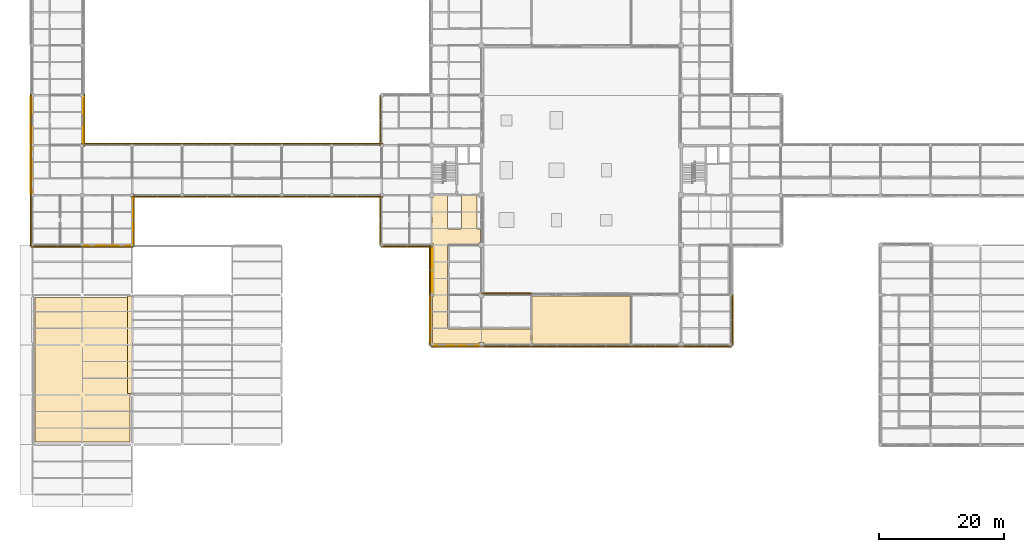
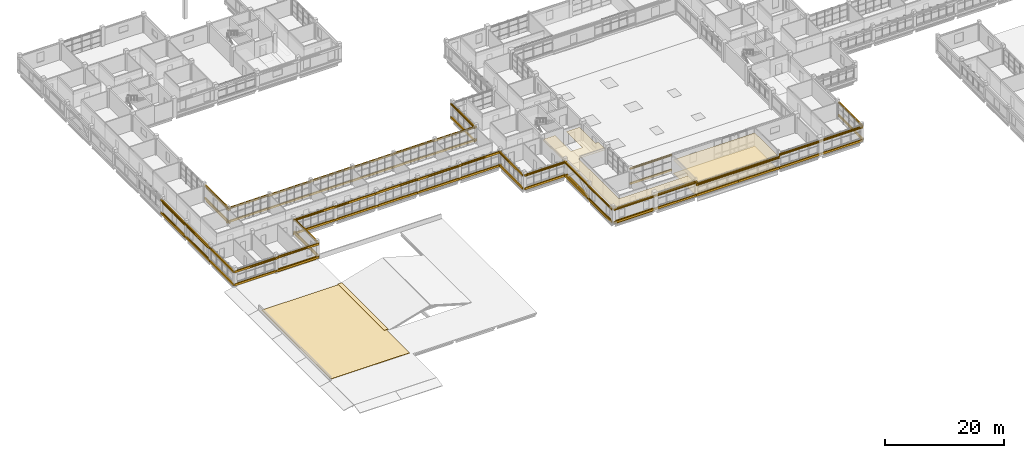
# One storey, part 96 of 107: 75 coverings, 34 shading devices, 2 elements without a shape of their own.
"""IFC4 building model written with IfcOpenShell, lengths in metres."""

from ifc_helpers import new_model, si_unit, derived_unit, direction, frame, origin, origin_2d, place, context, subcontext, project, spatial, polyline, rectangle, circle, outline, extrude, material, layer, layer_set, material_profile, profile_set, type_object, element, aggregate, save


model = new_model("IFC4")

# Units and contexts
model_context = context("Model", 3, precision=1e-05, world=origin(), true_north=direction((0.0, 1.0)))
body_context = subcontext(model_context, "Body", "Model", "MODEL_VIEW")
ifc_project = project(units=[si_unit("LENGTHUNIT", "METRE"), si_unit("AREAUNIT", "SQUARE_METRE"), si_unit("VOLUMEUNIT", "CUBIC_METRE"), si_unit("PLANEANGLEUNIT", "RADIAN"), si_unit("MASSUNIT", "GRAM", prefix="KILO"), derived_unit("THERMALTRANSMITTANCEUNIT", [(si_unit("MASSUNIT", "GRAM", prefix="KILO"), 1), (si_unit("TIMEUNIT", "SECOND"), -3), (si_unit("THERMODYNAMICTEMPERATUREUNIT", "KELVIN"), -1)])], contexts=[model_context])

# Site, building, storey
site_placement = place(None, origin())
site = spatial("IfcSite", under=ifc_project, at=site_placement, CompositionType="ELEMENT")
building_placement = place(site_placement, origin())
building = spatial("IfcBuilding", under=site, at=building_placement, Name="Veyamyaing Civic Hall", CompositionType="ELEMENT")
storey_placement = place(building_placement, frame((0.0, 0.0, 13.860107421875)))
storey = spatial("IfcBuildingStorey", under=building, at=storey_placement, Name="L03", CompositionType="ELEMENT", Elevation=13.860107421875)

# Coverings
ifc_material_1 = material(Name="Buff sandstone ashlar cladding", Category="masonry")
ifc_layer_1 = layer(ifc_material_1, 0.050048828125, Name="Buff sandstone ashlar cladding")
ifc_layer_set_1 = layer_set([ifc_layer_1], Name="Buff sandstone ashlar cladding")
covering_type_1 = type_object("IfcCoveringType", Name="CL-01", PredefinedType="CLADDING", material=ifc_layer_set_1)
for number, where, z_axis, x_axis, name in (
    (1, (-0.160888671875, 60.0, 0.044921875), (0.0, 0.0, 1.0), (0.0, 1.0, 0.0), "Facade spandrel cladding CL-01 L03 W 1.8"),
    (2, (8.160888671875, 60.0, 0.044921875), (0.0, 0.0, 1.0), (0.0, 1.0, 0.0), "Facade spandrel cladding CL-01 L03 E 1.8"),
):
    element("IfcCovering", number, at=place(storey_placement, frame(where, z_axis=z_axis, x_axis=x_axis)), inside=storey, type_object=covering_type_1, Name=name, PredefinedType="CLADDING", context=body_context, shape_type="SweptSolid", body=[
        extrude(rectangle(XDim=7.39990234375, YDim=0.050048828125, at=origin_2d()), origin(), (0.0, 0.0, 1.0), 0.75),
    ])
covering_1_placement = place(storey_placement, frame((67.9375, 23.826416015625, 0.044921875), z_axis=(0.0, 0.0, 1.0), x_axis=(1.0, 0.0, 0.0)))
element("IfcCovering", 3, at=covering_1_placement, inside=storey, type_object=covering_type_1, Name="Facade spandrel cladding CL-01 L03 S 9.4", PredefinedType="CLADDING", context=body_context, shape_type="SweptSolid", body=[
    extrude(rectangle(XDim=7.27490234375, YDim=0.050048828125, at=origin_2d()), origin(), (0.0, 0.0, 1.0), 0.75),
])
covering_2_placement = place(storey_placement, frame((63.826416015625, 28.0, 0.044921875), z_axis=(0.0, 0.0, 1.0), x_axis=(0.0, 1.0, 0.0)))
element("IfcCovering", 4, at=covering_2_placement, inside=storey, type_object=covering_type_1, Name="Facade spandrel cladding CL-01 L03 W 9.4", PredefinedType="CLADDING", context=body_context, shape_type="SweptSolid", body=[
    extrude(rectangle(XDim=7.39990234375, YDim=0.050048828125, at=origin_2d()), origin(), (0.0, 0.0, 1.0), 0.75),
])
ifc_material_2 = material(Name="Turquoise glazed ceramic tile cladding", Category="masonry")
ifc_layer_2 = layer(ifc_material_2, 0.034912109375, Name="Turquoise glazed ceramic tile cladding")
ifc_layer_set_2 = layer_set([ifc_layer_2], Name="Turquoise glazed ceramic tile cladding")
covering_type_2 = type_object("IfcCoveringType", Name="CL-02", PredefinedType="CLADDING", material=ifc_layer_set_2)
for number, where, z_axis, x_axis, name in (
    (5, (-0.153564453125, 52.0, 0.044921875), (0.0, 0.0, 1.0), (0.0, 1.0, 0.0), "Facade spandrel cladding CL-02 L03 W 1.7"),
    (6, (12.0, 39.846435546875, 0.044921875), (0.0, 0.0, 1.0), (1.0, 0.0, 0.0), "Facade spandrel cladding CL-02 L03 S 2.6"),
    (7, (16.153564453125, 44.0, 0.044921875), (0.0, 0.0, 1.0), (0.0, 1.0, 0.0), "Facade spandrel cladding CL-02 L03 E 2.6"),
    (8, (64.134033203125, 36.0, 0.044921875), (0.0, 0.0, 1.0), (0.0, 1.0, 0.0), "Facade spandrel cladding CL-02 L03 W 9.5"),
):
    element("IfcCovering", number, at=place(storey_placement, frame(where, z_axis=z_axis, x_axis=x_axis)), inside=storey, type_object=covering_type_2, Name=name, PredefinedType="CLADDING", context=body_context, shape_type="SweptSolid", body=[
        extrude(rectangle(XDim=7.39990234375, YDim=0.034912109375, at=origin_2d()), origin(), (0.0, 0.0, 1.0), 0.75),
    ])
ifc_material_3 = material(Name="White powder-coated aluminium 6063-T6", Category="aluminium")
ifc_layer_3 = layer(ifc_material_3, 0.2099609375, Name="White powder-coated aluminium 6063-T6")
ifc_layer_set_3 = layer_set([ifc_layer_3], Name="White powder-coated aluminium 6063-T6")
covering_type_3 = type_object("IfcCoveringType", Name="CL-03", PredefinedType="CLADDING", material=ifc_layer_set_3)
for number, where, z_axis, x_axis, name in (
    (9, (4.0, 39.760009765625, 2.919921875), (0.0, 0.0, 1.0), (1.0, 0.0, 0.0), "Continuous white head fascia ribbon CL-03 L03 S 1.6"),
    (10, (4.0, 39.760009765625, 0.280029296875), (0.0, 0.0, 1.0), (1.0, 0.0, 0.0), "Continuous white sill fascia ribbon CL-03 L03 S 1.6"),
    (11, (-0.239990234375, 44.0, 2.919921875), (0.0, 0.0, 1.0), (0.0, 1.0, 0.0), "Continuous white head fascia ribbon CL-03 L03 W 1.6"),
    (12, (-0.239990234375, 44.0, 0.280029296875), (0.0, 0.0, 1.0), (0.0, 1.0, 0.0), "Continuous white sill fascia ribbon CL-03 L03 W 1.6"),
    (13, (-0.239990234375, 52.0, 2.98388671875), (0.0, 0.0, 1.0), (0.0, 1.0, 0.0), "Continuous white head fascia ribbon CL-03 L03 W 1.7"),
    (14, (-0.239990234375, 52.0, 0.280029296875), (0.0, 0.0, 1.0), (0.0, 1.0, 0.0), "Continuous white sill fascia ribbon CL-03 L03 W 1.7"),
    (15, (-0.239990234375, 60.0, 2.923828125), (0.0, 0.0, 1.0), (0.0, 1.0, 0.0), "Continuous white head fascia ribbon CL-03 L03 W 1.8"),
    (16, (-0.239990234375, 60.0, 0.280029296875), (0.0, 0.0, 1.0), (0.0, 1.0, 0.0), "Continuous white sill fascia ribbon CL-03 L03 W 1.8"),
    (17, (8.239990234375, 60.0, 2.987060546875), (0.0, 0.0, 1.0), (0.0, 1.0, 0.0), "Continuous white head fascia ribbon CL-03 L03 E 1.8"),
    (18, (8.239990234375, 60.0, 0.280029296875), (0.0, 0.0, 1.0), (0.0, 1.0, 0.0), "Continuous white sill fascia ribbon CL-03 L03 E 1.8"),
    (19, (12.0, 39.760009765625, 2.98388671875), (0.0, 0.0, 1.0), (1.0, 0.0, 0.0), "Continuous white head fascia ribbon CL-03 L03 S 2.6"),
    (20, (12.0, 39.760009765625, 0.280029296875), (0.0, 0.0, 1.0), (1.0, 0.0, 0.0), "Continuous white sill fascia ribbon CL-03 L03 S 2.6"),
    (21, (16.239990234375, 44.0, 2.923828125), (0.0, 0.0, 1.0), (0.0, 1.0, 0.0), "Continuous white head fascia ribbon CL-03 L03 E 2.6"),
    (22, (16.239990234375, 44.0, 0.280029296875), (0.0, 0.0, 1.0), (0.0, 1.0, 0.0), "Continuous white sill fascia ribbon CL-03 L03 E 2.6"),
    (23, (12.0, 56.239990234375, 2.987060546875), (0.0, 0.0, 1.0), (1.0, 0.0, 0.0), "Continuous white head fascia ribbon CL-03 L03 N 2.7"),
    (24, (12.0, 56.239990234375, 0.280029296875), (0.0, 0.0, 1.0), (1.0, 0.0, 0.0), "Continuous white sill fascia ribbon CL-03 L03 N 2.7"),
    (25, (20.0, 47.760009765625, 2.987060546875), (0.0, 0.0, 1.0), (1.0, 0.0, 0.0), "Continuous white head fascia ribbon CL-03 L03 S 3.7"),
    (26, (20.0, 47.760009765625, 0.280029296875), (0.0, 0.0, 1.0), (1.0, 0.0, 0.0), "Continuous white sill fascia ribbon CL-03 L03 S 3.7"),
    (27, (20.0, 56.239990234375, 2.919921875), (0.0, 0.0, 1.0), (1.0, 0.0, 0.0), "Continuous white head fascia ribbon CL-03 L03 N 3.7"),
    (28, (20.0, 56.239990234375, 0.280029296875), (0.0, 0.0, 1.0), (1.0, 0.0, 0.0), "Continuous white sill fascia ribbon CL-03 L03 N 3.7"),
    (29, (28.0, 47.760009765625, 2.919921875), (0.0, 0.0, 1.0), (1.0, 0.0, 0.0), "Continuous white head fascia ribbon CL-03 L03 S 4.7"),
    (30, (28.0, 47.760009765625, 0.280029296875), (0.0, 0.0, 1.0), (1.0, 0.0, 0.0), "Continuous white sill fascia ribbon CL-03 L03 S 4.7"),
    (31, (28.0, 56.239990234375, 2.98388671875), (0.0, 0.0, 1.0), (1.0, 0.0, 0.0), "Continuous white head fascia ribbon CL-03 L03 N 4.7"),
    (32, (28.0, 56.239990234375, 0.280029296875), (0.0, 0.0, 1.0), (1.0, 0.0, 0.0), "Continuous white sill fascia ribbon CL-03 L03 N 4.7"),
    (33, (36.0, 47.760009765625, 2.98388671875), (0.0, 0.0, 1.0), (1.0, 0.0, 0.0), "Continuous white head fascia ribbon CL-03 L03 S 5.7"),
    (34, (36.0, 47.760009765625, 0.280029296875), (0.0, 0.0, 1.0), (1.0, 0.0, 0.0), "Continuous white sill fascia ribbon CL-03 L03 S 5.7"),
    (35, (36.0, 56.239990234375, 2.923828125), (0.0, 0.0, 1.0), (1.0, 0.0, 0.0), "Continuous white head fascia ribbon CL-03 L03 N 5.7"),
    (36, (36.0, 56.239990234375, 0.280029296875), (0.0, 0.0, 1.0), (1.0, 0.0, 0.0), "Continuous white sill fascia ribbon CL-03 L03 N 5.7"),
    (37, (44.0, 47.760009765625, 2.923828125), (0.0, 0.0, 1.0), (1.0, 0.0, 0.0), "Continuous white head fascia ribbon CL-03 L03 S 6.7"),
    (38, (44.0, 47.760009765625, 0.280029296875), (0.0, 0.0, 1.0), (1.0, 0.0, 0.0), "Continuous white sill fascia ribbon CL-03 L03 S 6.7"),
    (39, (44.0, 56.239990234375, 2.987060546875), (0.0, 0.0, 1.0), (1.0, 0.0, 0.0), "Continuous white head fascia ribbon CL-03 L03 N 6.7"),
    (40, (44.0, 56.239990234375, 0.280029296875), (0.0, 0.0, 1.0), (1.0, 0.0, 0.0), "Continuous white sill fascia ribbon CL-03 L03 N 6.7"),
    (41, (52.0, 47.760009765625, 2.987060546875), (0.0, 0.0, 1.0), (1.0, 0.0, 0.0), "Continuous white head fascia ribbon CL-03 L03 S 7.7"),
    (42, (52.0, 47.760009765625, 0.280029296875), (0.0, 0.0, 1.0), (1.0, 0.0, 0.0), "Continuous white sill fascia ribbon CL-03 L03 S 7.7"),
    (43, (52.0, 56.239990234375, 2.919921875), (0.0, 0.0, 1.0), (1.0, 0.0, 0.0), "Continuous white head fascia ribbon CL-03 L03 N 7.7"),
    (44, (52.0, 56.239990234375, 0.280029296875), (0.0, 0.0, 1.0), (1.0, 0.0, 0.0), "Continuous white sill fascia ribbon CL-03 L03 N 7.7"),
):
    element("IfcCovering", number, at=place(storey_placement, frame(where, z_axis=z_axis, x_axis=x_axis)), inside=storey, type_object=covering_type_3, Name=name, PredefinedType="CLADDING", context=body_context, shape_type="SweptSolid", body=[
        extrude(rectangle(XDim=8.360107421875, YDim=0.2099609375, at=origin_2d()), origin(), (0.0, 0.0, 1.0), 0.39990234375),
    ])
for number, where, z_axis, x_axis, name in (
    (45, (60.0, 39.760009765625, 2.987060546875), (0.0, 0.0, 1.0), (1.0, 0.0, 0.0), "Continuous white head fascia ribbon CL-03 L03 S 8.6"),
    (46, (60.0, 39.760009765625, 0.280029296875), (0.0, 0.0, 1.0), (1.0, 0.0, 0.0), "Continuous white sill fascia ribbon CL-03 L03 S 8.6"),
    (47, (55.760009765625, 44.0, 2.987060546875), (0.0, 0.0, 1.0), (0.0, 1.0, 0.0), "Continuous white head fascia ribbon CL-03 L03 W 8.6"),
    (48, (55.760009765625, 44.0, 0.280029296875), (0.0, 0.0, 1.0), (0.0, 1.0, 0.0), "Continuous white sill fascia ribbon CL-03 L03 W 8.6"),
    (49, (55.760009765625, 60.0, 2.98388671875), (0.0, 0.0, 1.0), (0.0, 1.0, 0.0), "Continuous white head fascia ribbon CL-03 L03 W 8.8"),
    (50, (55.760009765625, 60.0, 0.280029296875), (0.0, 0.0, 1.0), (0.0, 1.0, 0.0), "Continuous white sill fascia ribbon CL-03 L03 W 8.8"),
    (51, (68.0, 23.760009765625, 2.923828125), (0.0, 0.0, 1.0), (1.0, 0.0, 0.0), "Continuous white head fascia ribbon CL-03 L03 S 9.4"),
    (52, (68.0, 23.760009765625, 0.280029296875), (0.0, 0.0, 1.0), (1.0, 0.0, 0.0), "Continuous white sill fascia ribbon CL-03 L03 S 9.4"),
    (53, (63.760009765625, 28.0, 2.923828125), (0.0, 0.0, 1.0), (0.0, 1.0, 0.0), "Continuous white head fascia ribbon CL-03 L03 W 9.4"),
    (54, (63.760009765625, 28.0, 0.280029296875), (0.0, 0.0, 1.0), (0.0, 1.0, 0.0), "Continuous white sill fascia ribbon CL-03 L03 W 9.4"),
    (55, (63.760009765625, 36.0, 2.987060546875), (0.0, 0.0, 1.0), (0.0, 1.0, 0.0), "Continuous white head fascia ribbon CL-03 L03 W 9.5"),
    (56, (63.760009765625, 36.0, 0.280029296875), (0.0, 0.0, 1.0), (0.0, 1.0, 0.0), "Continuous white sill fascia ribbon CL-03 L03 W 9.5"),
    (57, (76.0, 23.760009765625, 2.98193359375), (0.0, 0.0, 1.0), (1.0, 0.0, 0.0), "Continuous white head fascia ribbon CL-03 L03 S 10.4"),
    (58, (76.0, 23.760009765625, 0.280029296875), (0.0, 0.0, 1.0), (1.0, 0.0, 0.0), "Continuous white sill fascia ribbon CL-03 L03 S 10.4"),
    (59, (76.0, 32.239990234375, 3.344970703125), (0.0, 0.0, 1.0), (1.0, 0.0, 0.0), "Continuous white head fascia ribbon CL-03 L03 N 10.4"),
    (60, (76.0, 32.239990234375, 0.280029296875), (0.0, 0.0, 1.0), (1.0, 0.0, 0.0), "Continuous white sill fascia ribbon CL-03 L03 N 10.4"),
    (61, (84.0, 23.760009765625, 2.408935546875), (0.0, 0.0, 1.0), (1.0, 0.0, 0.0), "Continuous white head fascia ribbon CL-03 L03 S 11.4"),
    (62, (84.0, 23.760009765625, 0.280029296875), (0.0, 0.0, 1.0), (1.0, 0.0, 0.0), "Continuous white sill fascia ribbon CL-03 L03 S 11.4"),
    (63, (92.0, 23.760009765625, 2.408935546875), (0.0, 0.0, 1.0), (1.0, 0.0, 0.0), "Continuous white head fascia ribbon CL-03 L03 S 12.4"),
    (64, (92.0, 23.760009765625, 0.280029296875), (0.0, 0.0, 1.0), (1.0, 0.0, 0.0), "Continuous white sill fascia ribbon CL-03 L03 S 12.4"),
    (65, (100.0, 23.760009765625, 2.9189453125), (0.0, 0.0, 1.0), (1.0, 0.0, 0.0), "Continuous white head fascia ribbon CL-03 L03 S 13.4"),
    (66, (100.0, 23.760009765625, 0.280029296875), (0.0, 0.0, 1.0), (1.0, 0.0, 0.0), "Continuous white sill fascia ribbon CL-03 L03 S 13.4"),
    (67, (108.0, 23.760009765625, 2.987060546875), (0.0, 0.0, 1.0), (1.0, 0.0, 0.0), "Continuous white head fascia ribbon CL-03 L03 S 14.4"),
    (68, (108.0, 23.760009765625, 0.280029296875), (0.0, 0.0, 1.0), (1.0, 0.0, 0.0), "Continuous white sill fascia ribbon CL-03 L03 S 14.4"),
    (69, (112.239990234375, 28.0, 2.919921875), (0.0, 0.0, 1.0), (0.0, 1.0, 0.0), "Continuous white head fascia ribbon CL-03 L03 E 14.4"),
    (70, (112.239990234375, 28.0, 0.280029296875), (0.0, 0.0, 1.0), (0.0, 1.0, 0.0), "Continuous white sill fascia ribbon CL-03 L03 E 14.4"),
):
    element("IfcCovering", number, at=place(storey_placement, frame(where, z_axis=z_axis, x_axis=x_axis)), inside=storey, type_object=covering_type_3, Name=name, PredefinedType="CLADDING", context=body_context, shape_type="SweptSolid", body=[
        extrude(rectangle(XDim=8.1201171875, YDim=0.2099609375, at=origin_2d()), origin(), (0.0, 0.0, 1.0), 0.39990234375),
    ])
ifc_material_4 = material(Name="Perforated acoustic gypsum ceiling board")
ifc_layer_4 = layer(ifc_material_4, 0.02490234375, Name="Perforated acoustic gypsum ceiling board")
ifc_layer_set_4 = layer_set([ifc_layer_4], Name="Perforated acoustic gypsum ceiling board")
covering_type_4 = type_object("IfcCoveringType", Name="CLG-01", PredefinedType="CEILING", material=ifc_layer_set_4)
covering_3_placement = place(storey_placement, frame((0.0, 0.0, 2.699951171875)))
element("IfcCovering", 71, at=covering_3_placement, inside=storey, type_object=covering_type_4, Name="Acoustic suspended ceiling CLG-01 L03-H01", PredefinedType="CEILING", context=body_context, shape_type="SweptSolid", body=[
    extrude(outline(polyline([(80.16943359375, 24.1630859375), (80.094970703125, 24.1630859375), (80.094970703125, 31.844970703125), (95.905029296875, 31.844970703125), (95.905029296875, 24.1630859375), (95.83056640625, 24.1630859375), (95.83056640625, 24.155029296875), (80.16943359375, 24.155029296875), (80.16943359375, 24.1630859375)])), origin(), (0.0, 0.0, 1.0), 0.02490234375),
])
covering_4_placement = place(storey_placement, frame((0.0, 0.0, 2.699951171875)))
element("IfcCovering", 72, at=covering_4_placement, inside=storey, type_object=covering_type_4, Name="Acoustic suspended ceiling CLG-01 L03-C03", PredefinedType="CEILING", context=body_context, shape_type="SweptSolid", body=[
    extrude(outline(polyline([(66.574951171875, 42.652587890625), (66.581298828125, 42.62158203125), (66.597412109375, 42.597412109375), (66.62158203125, 42.581298828125), (66.652587890625, 42.574951171875), (68.6982421875, 42.574951171875), (68.7216796875, 42.57861328125), (68.741455078125, 42.587890625), (68.7578125, 42.6025390625), (68.768798828125, 42.620849609375), (68.77490234375, 42.652587890625), (68.77490234375, 47.925048828125), (71.27490234375, 47.925048828125), (71.275390625, 42.643310546875), (71.28076171875, 42.6220703125), (71.297607421875, 42.5966796875), (71.314697265625, 42.583984375), (71.3349609375, 42.576904296875), (71.844970703125, 42.574951171875), (71.844970703125, 40.385009765625), (71.614990234375, 40.385009765625), (71.614990234375, 40.074951171875), (66.65185546875, 40.074951171875), (66.62890625, 40.071533203125), (66.602783203125, 40.0576171875), (66.583984375, 40.03466796875), (66.576904296875, 40.01513671875), (66.574951171875, 26.65185546875), (66.57861328125, 26.62841796875), (66.588134765625, 26.60791015625), (66.5966796875, 26.597412109375), (66.615234375, 26.583740234375), (66.627685546875, 26.57861328125), (66.65185546875, 26.574951171875), (79.925048828125, 26.574951171875), (79.925048828125, 24.1630859375), (79.83056640625, 24.1630859375), (79.83056640625, 24.155029296875), (72.385009765625, 24.155029296875), (72.385009765625, 24.385009765625), (71.614990234375, 24.385009765625), (71.614990234375, 24.155029296875), (64.260009765625, 24.155029296875), (64.260009765625, 24.260009765625), (64.155029296875, 24.260009765625), (64.155029296875, 31.739990234375), (64.260009765625, 31.739990234375), (64.260009765625, 32.260009765625), (64.155029296875, 32.260009765625), (64.155029296875, 39.739990234375), (64.260009765625, 39.739990234375), (64.260009765625, 40.260009765625), (64.074951171875, 40.260009765625), (64.074951171875, 47.6650390625), (64.3349609375, 47.6650390625), (64.3349609375, 47.925048828125), (66.574951171875, 47.925048828125), (66.574951171875, 42.652587890625)])), origin(), (0.0, 0.0, 1.0), 0.02490234375),
])
ifc_material_5 = material(Name="Polished Mandalay marble and terrazzo flooring", Category="masonry")
ifc_layer_5 = layer(ifc_material_5, 0.030029296875, Name="Polished Mandalay marble and terrazzo flooring")
ifc_layer_set_5 = layer_set([ifc_layer_5], Name="Polished Mandalay marble and terrazzo flooring")
covering_type_5 = type_object("IfcCoveringType", Name="FLR-01", PredefinedType="FLOORING", material=ifc_layer_set_5)
covering_5_placement = place(storey_placement, origin())
element("IfcCovering", 73, at=covering_5_placement, inside=storey, type_object=covering_type_5, Name="Stone and terrazzo flooring FLR-01 L03-H01", PredefinedType="FLOORING", context=body_context, shape_type="SweptSolid", body=[
    extrude(outline(polyline([(95.8798828125, 31.820068359375), (95.8798828125, 24.18798828125), (95.805419921875, 24.18798828125), (95.805419921875, 24.179931640625), (80.194580078125, 24.179931640625), (80.194580078125, 24.18798828125), (80.1201171875, 24.18798828125), (80.1201171875, 31.820068359375), (95.8798828125, 31.820068359375)])), origin(), (0.0, 0.0, 1.0), 0.02978515625),
])

# Shading devices
ifc_material_6 = material(Name="Anodised aluminium 6063-T6", Category="aluminium")
ifc_material_profile_1 = material_profile(ifc_material_6, rectangle(XDim=0.050048828125, YDim=0.25, at=origin_2d()), Name="LOUVRE-BLADE-50X250")
ifc_profile_set_1 = profile_set([ifc_material_profile_1], Name="Anodised aluminium 6063-T6")
shading_device_type_1 = type_object("IfcShadingDeviceType", Name="LV-01", PredefinedType="JALOUSIE", material=ifc_profile_set_1)
for number, where, z_axis, x_axis, name in (
    (74, (-0.219970703125, 48.260009765625, 2.81396484375), (0.0, 1.0, 0.0), (-1.0, 0.0, 0.0), "Monsoon solar louvre LV-01 L03 W 1.7"),
    (75, (-0.219970703125, 56.260009765625, 2.75390625), (0.0, 1.0, 0.0), (-1.0, 0.0, 0.0), "Monsoon solar louvre LV-01 L03 W 1.8"),
    (76, (8.219970703125, 56.260009765625, 2.81689453125), (0.0, 1.0, 0.0), (-1.0, 0.0, 0.0), "Monsoon solar louvre LV-01 L03 E 1.8"),
):
    element("IfcShadingDevice", number, at=place(storey_placement, frame(where, z_axis=z_axis, x_axis=x_axis)), inside=storey, type_object=shading_device_type_1, Name=name, PredefinedType="JALOUSIE", context=body_context, shape_type="SweptSolid", body=[
        extrude(rectangle(XDim=0.050048828125, YDim=0.25, at=origin_2d()), origin(), (0.0, 0.0, 1.0), 7.47998046875),
    ])

# Roof, covering
ifc_material_7 = material(Name="Concrete C40/50", Category="concrete")
roof_type_1 = type_object("IfcRoofType", Name="RF-PAV", PredefinedType="PAVILION_ROOF", material=ifc_material_7)
roof_1_placement = place(storey_placement, origin())
roof_1 = element("IfcRoof", 77, at=roof_1_placement, inside=storey, type_object=roof_type_1, Name="Public Hall Skylight Lantern Roof", PredefinedType="PAVILION_ROOF")
ifc_material_8 = material(Name="Cool-roof insulated membrane waterproofing")
ifc_layer_6 = layer(ifc_material_8, 0.080078125, Name="Cool-roof insulated membrane waterproofing")
ifc_layer_set_6 = layer_set([ifc_layer_6], Name="Cool-roof insulated membrane waterproofing")
covering_type_6 = type_object("IfcCoveringType", Name="RM-01", PredefinedType="ROOFING", material=ifc_layer_set_6)
covering_6_placement = place(storey_placement, origin())
covering_6 = element("IfcCovering", 78, at=covering_6_placement, type_object=covering_type_6, Name="Insulated cool-roof membrane RM-01 L03", PredefinedType="ROOFING", context=body_context, shape_type="SweptSolid", body=[
    extrude(outline(polyline([(15.199951171875, 16.199951171875), (16.0, 16.199951171875), (16.0, 31.800048828125), (15.199951171875, 31.800048828125), (15.199951171875, 16.199951171875)])), origin(), (0.0, 0.0, 1.0), 0.079833984375),
])
aggregate(roof_1, [covering_6])

roof_type_2 = type_object("IfcRoofType", Name="RF-FLAT", PredefinedType="FLAT_ROOF", material=ifc_material_7)
roof_2_placement = place(storey_placement, origin())
roof_2 = element("IfcRoof", 79, at=roof_2_placement, inside=storey, type_object=roof_type_2, Name="Southwest Pavilion Flat Roof Assembly", PredefinedType="FLAT_ROOF")
covering_7_placement = place(storey_placement, origin())
covering_7 = element("IfcCovering", 80, at=covering_7_placement, type_object=covering_type_6, Name="Insulated cool-roof membrane RM-01 L03", PredefinedType="ROOFING", context=body_context, shape_type="SweptSolid", body=[
    extrude(outline(polyline([(0.39990234375, 8.39990234375), (15.60009765625, 8.39990234375), (15.60009765625, 31.60009765625), (0.39990234375, 31.60009765625), (0.39990234375, 8.39990234375)])), origin(), (0.0, 0.0, 1.0), 0.079833984375),
])
aggregate(roof_2, [covering_7])

# Shading devices
ifc_material_profile_2 = material_profile(ifc_material_3, circle(Radius=0.110107421875, at=origin_2d()), Name="SHADE-TUBE-220")
ifc_profile_set_2 = profile_set([ifc_material_profile_2], Name="White powder-coated aluminium 6063-T6")
shading_device_type_2 = type_object("IfcShadingDeviceType", Name="SH-01", PredefinedType="USERDEFINED", material=ifc_profile_set_2)
for number, where, z_axis, x_axis, name in (
    (81, (56.260009765625, 39.760009765625, 3.14697265625), (1.0, 0.0, 0.0), (0.0, 1.0, 0.0), "Horizontal white sunshade ribbon SH-01 L03 S 8.6"),
    (82, (55.760009765625, 40.260009765625, 3.14697265625), (0.0, 1.0, 0.0), (-1.0, 0.0, 0.0), "Horizontal white sunshade ribbon SH-01 L03 W 8.6"),
    (83, (55.760009765625, 56.260009765625, 3.143798828125), (0.0, 1.0, 0.0), (-1.0, 0.0, 0.0), "Horizontal white sunshade ribbon SH-01 L03 W 8.8"),
):
    element("IfcShadingDevice", number, at=place(storey_placement, frame(where, z_axis=z_axis, x_axis=x_axis)), inside=storey, type_object=shading_device_type_2, Name=name, ObjectType="SUNSHADE", PredefinedType="USERDEFINED", context=body_context, shape_type="SweptSolid", body=[
        extrude(circle(Radius=0.110107421875, at=origin_2d()), origin(), (0.0, 0.0, 1.0), 7.47998046875),
    ])
shading_device_1_placement = place(storey_placement, frame((64.260009765625, 23.760009765625, 3.083984375), z_axis=(1.0, 0.0, 0.0), x_axis=(0.0, 1.0, 0.0)))
element("IfcShadingDevice", 84, at=shading_device_1_placement, inside=storey, type_object=shading_device_type_2, Name="Horizontal white sunshade ribbon SH-01 L03 S 9.4", ObjectType="SUNSHADE", PredefinedType="USERDEFINED", context=body_context, shape_type="SweptSolid", body=[
    extrude(circle(Radius=0.110107421875, at=origin_2d()), origin(), (0.0, 0.0, 1.0), 7.35498046875),
])
for number, where, z_axis, x_axis, name in (
    (85, (63.760009765625, 24.260009765625, 3.083984375), (0.0, 1.0, 0.0), (-1.0, 0.0, 0.0), "Horizontal white sunshade ribbon SH-01 L03 W 9.4"),
    (86, (63.760009765625, 32.260009765625, 3.14697265625), (0.0, 1.0, 0.0), (-1.0, 0.0, 0.0), "Horizontal white sunshade ribbon SH-01 L03 W 9.5"),
):
    element("IfcShadingDevice", number, at=place(storey_placement, frame(where, z_axis=z_axis, x_axis=x_axis)), inside=storey, type_object=shading_device_type_2, Name=name, ObjectType="SUNSHADE", PredefinedType="USERDEFINED", context=body_context, shape_type="SweptSolid", body=[
        extrude(circle(Radius=0.110107421875, at=origin_2d()), origin(), (0.0, 0.0, 1.0), 7.47998046875),
    ])
shading_device_2_placement = place(storey_placement, frame((72.385009765625, 23.760009765625, 3.141845703125), z_axis=(1.0, 0.0, 0.0), x_axis=(0.0, 1.0, 0.0)))
element("IfcShadingDevice", 87, at=shading_device_2_placement, inside=storey, type_object=shading_device_type_2, Name="Horizontal white sunshade ribbon SH-01 L03 S 10.4", ObjectType="SUNSHADE", PredefinedType="USERDEFINED", context=body_context, shape_type="SweptSolid", body=[
    extrude(circle(Radius=0.110107421875, at=origin_2d()), origin(), (0.0, 0.0, 1.0), 7.445556640625),
])
shading_device_3_placement = place(storey_placement, frame((72.385009765625, 32.239990234375, 3.5048828125), z_axis=(1.0, 0.0, 0.0), x_axis=(0.0, 1.0, 0.0)))
element("IfcShadingDevice", 88, at=shading_device_3_placement, inside=storey, type_object=shading_device_type_2, Name="Horizontal white sunshade ribbon SH-01 L03 N 10.4", ObjectType="SUNSHADE", PredefinedType="USERDEFINED", context=body_context, shape_type="SweptSolid", body=[
    extrude(circle(Radius=0.110107421875, at=origin_2d()), origin(), (0.0, 0.0, 1.0), 7.614990234375),
])
for number, where, z_axis, x_axis, name in (
    (89, (80.16943359375, 23.760009765625, 2.56884765625), (1.0, 0.0, 0.0), (0.0, 1.0, 0.0), "Horizontal white sunshade ribbon SH-01 L03 S 11.4"),
    (90, (88.0, 23.760009765625, 2.56884765625), (1.0, 0.0, 0.0), (0.0, 1.0, 0.0), "Horizontal white sunshade ribbon SH-01 L03 S 12.4"),
):
    element("IfcShadingDevice", number, at=place(storey_placement, frame(where, z_axis=z_axis, x_axis=x_axis)), inside=storey, type_object=shading_device_type_2, Name=name, ObjectType="SUNSHADE", PredefinedType="USERDEFINED", context=body_context, shape_type="SweptSolid", body=[
        extrude(circle(Radius=0.110107421875, at=origin_2d()), origin(), (0.0, 0.0, 1.0), 7.83056640625),
    ])
shading_device_4_placement = place(storey_placement, frame((96.16943359375, 23.760009765625, 3.078857421875), z_axis=(1.0, 0.0, 0.0), x_axis=(0.0, 1.0, 0.0)))
element("IfcShadingDevice", 91, at=shading_device_4_placement, inside=storey, type_object=shading_device_type_2, Name="Horizontal white sunshade ribbon SH-01 L03 S 13.4", ObjectType="SUNSHADE", PredefinedType="USERDEFINED", context=body_context, shape_type="SweptSolid", body=[
    extrude(circle(Radius=0.110107421875, at=origin_2d()), origin(), (0.0, 0.0, 1.0), 7.445556640625),
])
shading_device_5_placement = place(storey_placement, frame((104.385009765625, 23.760009765625, 3.14697265625), z_axis=(1.0, 0.0, 0.0), x_axis=(0.0, 1.0, 0.0)))
element("IfcShadingDevice", 92, at=shading_device_5_placement, inside=storey, type_object=shading_device_type_2, Name="Horizontal white sunshade ribbon SH-01 L03 S 14.4", ObjectType="SUNSHADE", PredefinedType="USERDEFINED", context=body_context, shape_type="SweptSolid", body=[
    extrude(circle(Radius=0.110107421875, at=origin_2d()), origin(), (0.0, 0.0, 1.0), 7.35498046875),
])
shading_device_6_placement = place(storey_placement, frame((112.239990234375, 24.260009765625, 3.079833984375), z_axis=(0.0, 1.0, 0.0), x_axis=(-1.0, 0.0, 0.0)))
element("IfcShadingDevice", 93, at=shading_device_6_placement, inside=storey, type_object=shading_device_type_2, Name="Horizontal white sunshade ribbon SH-01 L03 E 14.4", ObjectType="SUNSHADE", PredefinedType="USERDEFINED", context=body_context, shape_type="SweptSolid", body=[
    extrude(circle(Radius=0.110107421875, at=origin_2d()), origin(), (0.0, 0.0, 1.0), 7.47998046875),
])
ifc_material_profile_3 = material_profile(ifc_material_3, circle(Radius=0.090087890625, at=origin_2d()), Name="SHADE-TUBE-180")
ifc_profile_set_3 = profile_set([ifc_material_profile_3], Name="White powder-coated aluminium 6063-T6")
shading_device_type_3 = type_object("IfcShadingDeviceType", Name="SH-02", PredefinedType="USERDEFINED", material=ifc_profile_set_3)
for number, where, z_axis, x_axis, name in (
    (94, (0.260009765625, 39.760009765625, 3.079833984375), (1.0, 0.0, 0.0), (0.0, 1.0, 0.0), "Horizontal white sunshade ribbon SH-02 L03 S 1.6"),
    (95, (-0.239990234375, 40.260009765625, 3.079833984375), (0.0, 1.0, 0.0), (-1.0, 0.0, 0.0), "Horizontal white sunshade ribbon SH-02 L03 W 1.6"),
    (96, (-0.239990234375, 48.260009765625, 3.143798828125), (0.0, 1.0, 0.0), (-1.0, 0.0, 0.0), "Horizontal white sunshade ribbon SH-02 L03 W 1.7"),
    (97, (-0.239990234375, 56.260009765625, 3.083984375), (0.0, 1.0, 0.0), (-1.0, 0.0, 0.0), "Horizontal white sunshade ribbon SH-02 L03 W 1.8"),
    (98, (8.239990234375, 56.260009765625, 3.14697265625), (0.0, 1.0, 0.0), (-1.0, 0.0, 0.0), "Horizontal white sunshade ribbon SH-02 L03 E 1.8"),
    (99, (8.260009765625, 39.760009765625, 3.143798828125), (1.0, 0.0, 0.0), (0.0, 1.0, 0.0), "Horizontal white sunshade ribbon SH-02 L03 S 2.6"),
    (100, (16.239990234375, 40.260009765625, 3.083984375), (0.0, 1.0, 0.0), (-1.0, 0.0, 0.0), "Horizontal white sunshade ribbon SH-02 L03 E 2.6"),
    (101, (8.260009765625, 56.239990234375, 3.14697265625), (1.0, 0.0, 0.0), (0.0, 1.0, 0.0), "Horizontal white sunshade ribbon SH-02 L03 N 2.7"),
    (102, (16.260009765625, 47.760009765625, 3.14697265625), (1.0, 0.0, 0.0), (0.0, 1.0, 0.0), "Horizontal white sunshade ribbon SH-02 L03 S 3.7"),
    (103, (16.260009765625, 56.239990234375, 3.079833984375), (1.0, 0.0, 0.0), (0.0, 1.0, 0.0), "Horizontal white sunshade ribbon SH-02 L03 N 3.7"),
    (104, (24.260009765625, 47.760009765625, 3.079833984375), (1.0, 0.0, 0.0), (0.0, 1.0, 0.0), "Horizontal white sunshade ribbon SH-02 L03 S 4.7"),
    (105, (24.260009765625, 56.239990234375, 3.143798828125), (1.0, 0.0, 0.0), (0.0, 1.0, 0.0), "Horizontal white sunshade ribbon SH-02 L03 N 4.7"),
    (106, (32.260009765625, 47.760009765625, 3.143798828125), (1.0, 0.0, 0.0), (0.0, 1.0, 0.0), "Horizontal white sunshade ribbon SH-02 L03 S 5.7"),
    (107, (32.260009765625, 56.239990234375, 3.083984375), (1.0, 0.0, 0.0), (0.0, 1.0, 0.0), "Horizontal white sunshade ribbon SH-02 L03 N 5.7"),
    (108, (40.260009765625, 47.760009765625, 3.083984375), (1.0, 0.0, 0.0), (0.0, 1.0, 0.0), "Horizontal white sunshade ribbon SH-02 L03 S 6.7"),
    (109, (40.260009765625, 56.239990234375, 3.14697265625), (1.0, 0.0, 0.0), (0.0, 1.0, 0.0), "Horizontal white sunshade ribbon SH-02 L03 N 6.7"),
    (110, (48.260009765625, 47.760009765625, 3.14697265625), (1.0, 0.0, 0.0), (0.0, 1.0, 0.0), "Horizontal white sunshade ribbon SH-02 L03 S 7.7"),
    (111, (48.260009765625, 56.239990234375, 3.079833984375), (1.0, 0.0, 0.0), (0.0, 1.0, 0.0), "Horizontal white sunshade ribbon SH-02 L03 N 7.7"),
):
    element("IfcShadingDevice", number, at=place(storey_placement, frame(where, z_axis=z_axis, x_axis=x_axis)), inside=storey, type_object=shading_device_type_3, Name=name, ObjectType="SUNSHADE", PredefinedType="USERDEFINED", context=body_context, shape_type="SweptSolid", body=[
        extrude(circle(Radius=0.090087890625, at=origin_2d()), origin(), (0.0, 0.0, 1.0), 7.47998046875),
    ])

save(model, "model.ifc")
